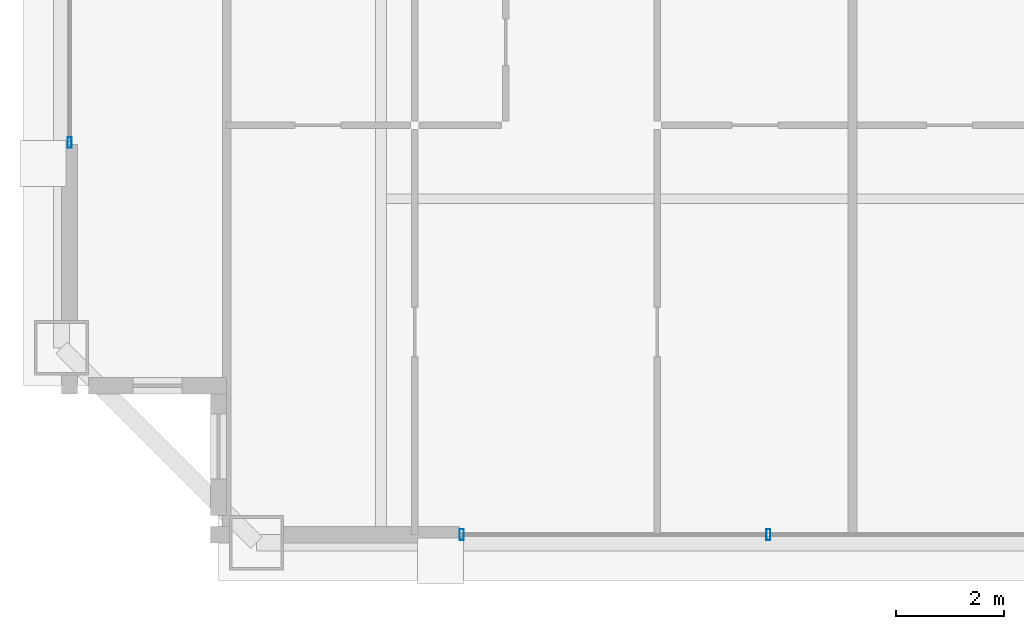
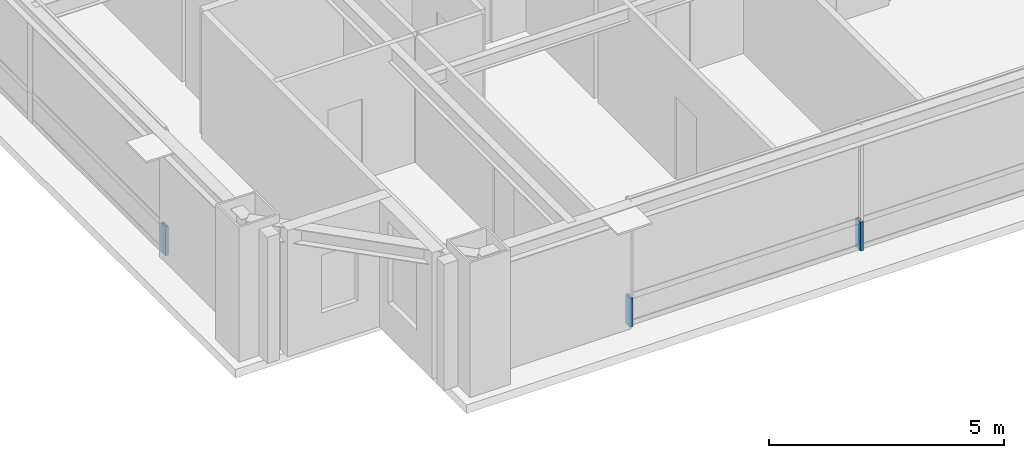
# One storey, part 21 of 35: 3 members, 2 elements without a shape of their own.
"""IFC4 building model written with IfcOpenShell, lengths in metres."""

from ifc_helpers import new_model, si_unit, direction, frame, origin, origin_2d, place, context, subcontext, project, spatial, hollow_rectangle, extrude, source, transform, mapped, material, layer, layer_set, material_profile, profile_set, type_object, element, aggregate, save


model = new_model("IFC4")

# Units and contexts
model_context = context("Model", 3, precision=1e-05, world=origin(), true_north=direction((0.0, 1.0)))
body_context = subcontext(model_context, "Body", "Model", "MODEL_VIEW")
ifc_project = project(units=[si_unit("LENGTHUNIT", "METRE"), si_unit("AREAUNIT", "SQUARE_METRE"), si_unit("VOLUMEUNIT", "CUBIC_METRE"), si_unit("PLANEANGLEUNIT", "RADIAN"), si_unit("MASSUNIT", "GRAM", prefix="KILO"), si_unit("THERMODYNAMICTEMPERATUREUNIT", "KELVIN"), si_unit("POWERUNIT", "WATT")], contexts=[model_context])

# Site, building, storey
site_placement = place(None, origin())
site = spatial("IfcSite", under=ifc_project, at=site_placement, CompositionType="ELEMENT")
building_placement = place(site_placement, origin())
building = spatial("IfcBuilding", under=site, at=building_placement, Name="Yuzanri Waterfront Tower", CompositionType="ELEMENT")
storey_placement = place(building_placement, frame((0.0, 0.0, 332.199951171875)))
storey = spatial("IfcBuildingStorey", under=building, at=storey_placement, Name="L89", CompositionType="ELEMENT", Elevation=332.199951171875)

# Curtain wall, members
ifc_material_1 = material(Name="Anodized Architectural Bronze", Category="metal")
ifc_layer = layer(ifc_material_1, 0.159912109375)
ifc_layer_set = layer_set([ifc_layer], Name="Anodized Architectural Bronze")
curtain_wall_type = type_object("IfcCurtainWallType", Name="Anodized Bronze High-Rise Penthouse High-Wind Unitized Curtain Wall 6900", PredefinedType="NOTDEFINED", material=ifc_layer_set)
curtain_wall_1_placement = place(storey_placement, origin())
curtain_wall_1 = element("IfcCurtainWall", 1, at=curtain_wall_1_placement, inside=storey, type_object=curtain_wall_type, Name="L89 Curtain Wall CW-L89-SL", PredefinedType="NOTDEFINED")
ifc_material_2 = material(Name="Anodized Architectural Bronze", Category="metal")
ifc_material_profile = material_profile(ifc_material_2, hollow_rectangle(XDim=0.074951171875, YDim=0.199951171875, WallThickness=0.00390625, at=origin_2d()), Name="CWM 75x200")
ifc_profile_set = profile_set([ifc_material_profile], Name="Anodized Architectural Bronze")
member_type = type_object("IfcMemberType", Name="Anodized Bronze Primary Curtain-Wall Mullion 75x200", PredefinedType="MULLION", material=ifc_profile_set)
shared_shape = source(origin(), body_context, "Body", "SweptSolid", [
    extrude(hollow_rectangle(XDim=0.074951171875, YDim=0.199951171875, WallThickness=0.00390625, at=origin_2d()), origin(), (0.0, 0.0, 1.0), 0.751953125),
])
member_1_placement = place(storey_placement, frame((25.2900390625, 6.85009765625, 0.0), z_axis=(0.0, 0.0, 1.0), x_axis=(1.0, 0.0, 0.0)))
member_1 = element("IfcMember", 2, at=member_1_placement, type_object=member_type, Name="CW-L89-SL Lower Mullion 00", PredefinedType="MULLION", context=body_context, shape_type="MappedRepresentation", body=[
    mapped(shared_shape, transform((0.0, 0.0, 0.0), scale=1.0)),
])
member_2_placement = place(storey_placement, frame((30.949951171875, 6.85009765625, 0.0), z_axis=(0.0, 0.0, 1.0), x_axis=(1.0, 0.0, 0.0)))
member_2 = element("IfcMember", 3, at=member_2_placement, type_object=member_type, Name="CW-L89-SL Lower Mullion 01", PredefinedType="MULLION", context=body_context, shape_type="MappedRepresentation", body=[
    mapped(shared_shape, transform((0.0, 0.0, 0.0), scale=1.0)),
])
aggregate(curtain_wall_1, [member_1, member_2])

# Curtain wall, member
curtain_wall_2_placement = place(storey_placement, origin())
curtain_wall_2 = element("IfcCurtainWall", 4, at=curtain_wall_2_placement, inside=storey, type_object=curtain_wall_type, Name="L89 Curtain Wall CW-L89-WL", PredefinedType="NOTDEFINED")
member_3_placement = place(storey_placement, frame((18.050048828125, 14.090087890625, 0.0), z_axis=(0.0, 0.0, 1.0), x_axis=(1.0, 0.0, 0.0)))
member_3 = element("IfcMember", 5, at=member_3_placement, type_object=member_type, Name="CW-L89-WL Lower Mullion 00", PredefinedType="MULLION", context=body_context, shape_type="MappedRepresentation", body=[
    mapped(shared_shape, transform((0.0, 0.0, 0.0), scale=1.0)),
])
aggregate(curtain_wall_2, [member_3])

save(model, "model.ifc")
